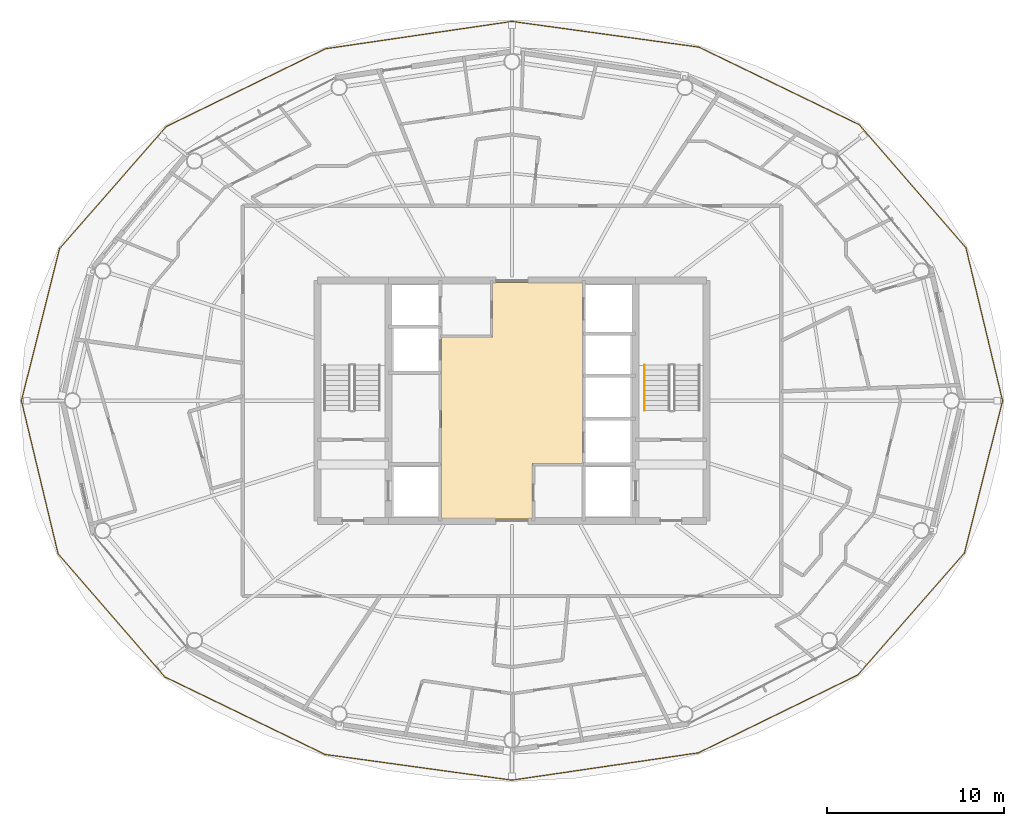
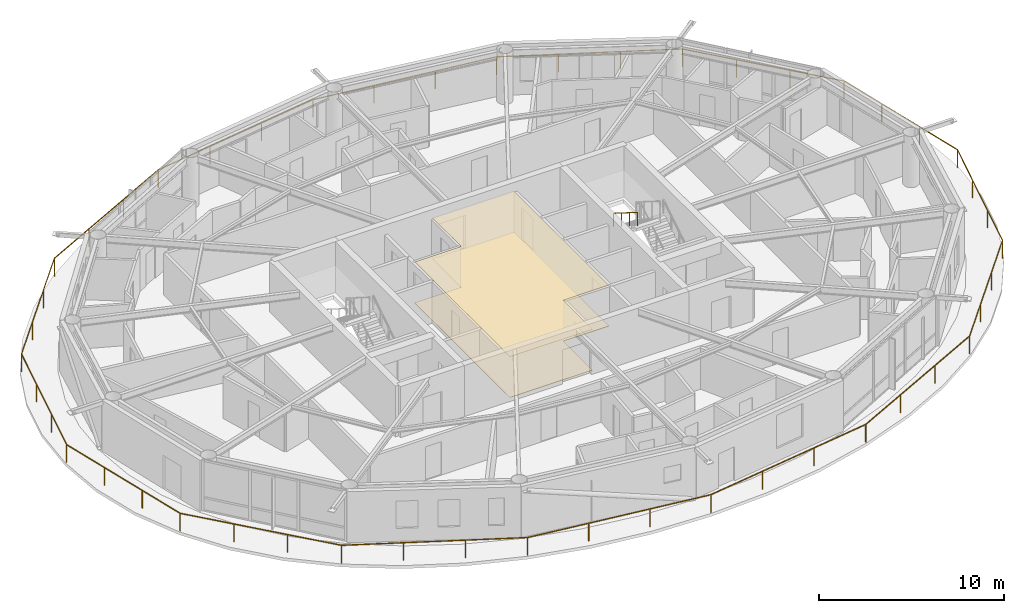
# One storey, part 22 of 23: 2 coverings, 2 railings.
"""IFC4 building model written with IfcOpenShell, lengths in metres."""

from ifc_helpers import new_model, si_unit, direction, frame, origin, origin_2d, place, context, subcontext, project, spatial, polyline, rectangle, outline, extrude, material, layer, layer_set, type_object, element, save


model = new_model("IFC4")

# Units and contexts
model_context = context("Model", 3, precision=1e-05, world=origin(), true_north=direction((0.0, 1.0)))
body_context = subcontext(model_context, "Body", "Model", "MODEL_VIEW")
ifc_project = project(units=[si_unit("LENGTHUNIT", "METRE"), si_unit("AREAUNIT", "SQUARE_METRE"), si_unit("VOLUMEUNIT", "CUBIC_METRE"), si_unit("PLANEANGLEUNIT", "RADIAN"), si_unit("MASSUNIT", "GRAM", prefix="KILO")], contexts=[model_context])

# Site, building, storey
site_placement = place(None, origin())
site = spatial("IfcSite", under=ifc_project, at=site_placement, CompositionType="ELEMENT")
building_placement = place(site_placement, origin())
building = spatial("IfcBuilding", under=site, at=building_placement, Name="Sarneth Arch Tower", CompositionType="ELEMENT")
storey_placement = place(building_placement, frame((0.0, 0.0, 231.60009765625)))
storey = spatial("IfcBuildingStorey", under=building, at=storey_placement, Name="L59", CompositionType="ELEMENT", Elevation=231.60009765625)

# Coverings
ifc_material_1 = material(Name="Perforated acoustic gypsum ceiling board")
ifc_layer_1 = layer(ifc_material_1, 0.02490234375)
ifc_layer_set_1 = layer_set([ifc_layer_1], Name="Perforated acoustic gypsum ceiling board")
covering_type_1 = type_object("IfcCoveringType", Name="COV-CEIL-GYP", PredefinedType="CEILING", material=ifc_layer_set_1)
covering_1_placement = place(storey_placement, frame((0.0, 0.0, 2.68994140625)))
element("IfcCovering", 1, at=covering_1_placement, inside=storey, type_object=covering_type_1, Name="L59 Lift lobby acoustic ceiling", PredefinedType="CEILING", context=body_context, shape_type="SweptSolid", body=[
    extrude(outline(polyline([(49.14990234375, 38.449951171875), (49.14990234375, 35.300048828125), (44.0, 35.300048828125), (44.0, 45.60009765625), (46.89990234375, 45.60009765625), (46.89990234375, 48.699951171875), (52.0, 48.699951171875), (52.0, 38.449951171875), (49.14990234375, 38.449951171875)])), origin(), (0.0, 0.0, 1.0), 0.030029296875),
])
ifc_material_2 = material(Name="Honed granite stone flooring", Category="masonry")
ifc_layer_2 = layer(ifc_material_2, 0.030029296875)
ifc_layer_set_2 = layer_set([ifc_layer_2], Name="Honed granite stone flooring")
covering_type_2 = type_object("IfcCoveringType", Name="COV-FLR-STONE", PredefinedType="FLOORING", material=ifc_layer_set_2)
covering_2_placement = place(storey_placement, origin())
element("IfcCovering", 2, at=covering_2_placement, inside=storey, type_object=covering_type_2, Name="L59 Lift lobby granite flooring", PredefinedType="FLOORING", context=body_context, shape_type="SweptSolid", body=[
    extrude(outline(polyline([(49.14990234375, 38.449951171875), (49.14990234375, 35.300048828125), (44.0, 35.300048828125), (44.0, 45.60009765625), (46.89990234375, 45.60009765625), (46.89990234375, 48.699951171875), (52.0, 48.699951171875), (52.0, 38.449951171875), (49.14990234375, 38.449951171875)])), origin(), (0.0, 0.0, 1.0), 0.02978515625),
])

# Railings
ifc_material_3 = material(Name="Laminated structural glass infill with Stainless Steel 316 top rail and posts", Category="steel")
railing_type_1 = type_object("IfcRailingType", Name="RAIL-BALC-1200", PredefinedType="BALUSTRADE", material=ifc_material_3)
railing_1_placement = place(storey_placement, frame((75.773681640625, 42.0, 0.0)))
element("IfcRailing", 3, at=railing_1_placement, inside=storey, type_object=railing_type_1, Name="L59 Helical balcony glass balustrade", PredefinedType="BALUSTRADE", context=body_context, shape_type="SweptSolid", body=[
    extrude(rectangle(XDim=0.048095703125, YDim=0.048095703125, at=origin_2d()), frame((0.0, 0.0, 1.17578125), z_axis=(-0.233023557234, 0.972471090457, 0.0), x_axis=(-0.972471090457, -0.233023557234, 0.0)), (0.0, 0.0, 1.0), 8.906494140625),
    extrude(rectangle(XDim=0.048095703125, YDim=0.048095703125, at=origin_2d()), frame((-2.075439453125, 8.661376953125, 1.17578125), z_axis=(-0.655023245194, 0.755608726958, 0.0), x_axis=(-0.755608726958, -0.655023245194, 0.0)), (0.0, 0.0, 1.0), 9.223388671875),
    extrude(rectangle(XDim=0.048095703125, YDim=0.048095703125, at=origin_2d()), frame((-8.116943359375, 15.630615234375, 1.17578125), z_axis=(-0.900182220057, 0.435513456387, 0.0), x_axis=(-0.435513456387, -0.900182220057, 0.0)), (0.0, 0.0, 1.0), 10.08203125),
    extrude(rectangle(XDim=0.048095703125, YDim=0.048095703125, at=origin_2d()), frame((-17.192626953125, 20.021484375, 1.17578125), z_axis=(-0.990670355081, 0.136280033618, 0.0), x_axis=(-0.136280033618, -0.990670355081, 0.0)), (0.0, 0.0, 1.0), 10.6806640625),
    extrude(rectangle(XDim=0.048095703125, YDim=0.048095703125, at=origin_2d()), frame((-27.773681640625, 21.47705078125, 1.17578125), z_axis=(-0.989425516886, -0.145041878557, 0.0), x_axis=(0.145041878557, -0.989425516886, 0.0)), (0.0, 0.0, 1.0), 10.6650390625),
    extrude(rectangle(XDim=0.048095703125, YDim=0.048095703125, at=origin_2d()), frame((-38.325927734375, 19.93017578125, 1.17578125), z_axis=(-0.898526713463, -0.43891883668, 0.0), x_axis=(0.43891883668, -0.898526713463, 0.0)), (0.0, 0.0, 1.0), 10.042236328125),
    extrude(rectangle(XDim=0.048095703125, YDim=0.048095703125, at=origin_2d()), frame((-47.34912109375, 15.5224609375, 1.17578125), z_axis=(-0.658199387128, -0.752843653612, 0.0), x_axis=(0.752843653612, -0.658199387128, 0.0)), (0.0, 0.0, 1.0), 9.175537109375),
    extrude(rectangle(XDim=0.048095703125, YDim=0.048095703125, at=origin_2d()), frame((-53.388427734375, 8.61474609375, 1.17578125), z_axis=(-0.243091848319, -0.970003274882, 0.0), x_axis=(0.970003274882, -0.243091848319, 0.0)), (0.0, 0.0, 1.0), 8.881103515625),
    extrude(rectangle(XDim=0.048095703125, YDim=0.048095703125, at=origin_2d()), frame((-55.54736328125, 0.0, 1.17578125), z_axis=(0.233023557234, -0.972471090457, 0.0), x_axis=(0.972471090457, 0.233023557234, 0.0)), (0.0, 0.0, 1.0), 8.906494140625),
    extrude(rectangle(XDim=0.048095703125, YDim=0.048095703125, at=origin_2d()), frame((-53.471923828125, -8.661376953125, 1.17578125), z_axis=(0.655023245194, -0.755608726958, 0.0), x_axis=(0.755608726958, 0.655023245194, 0.0)), (0.0, 0.0, 1.0), 9.223388671875),
    extrude(rectangle(XDim=0.048095703125, YDim=0.048095703125, at=origin_2d()), frame((-47.430419921875, -15.630615234375, 1.17578125), z_axis=(0.900182220057, -0.435513456387, 0.0), x_axis=(0.435513456387, 0.900182220057, 0.0)), (0.0, 0.0, 1.0), 10.08203125),
    extrude(rectangle(XDim=0.048095703125, YDim=0.048095703125, at=origin_2d()), frame((-38.354736328125, -20.021484375, 1.17578125), z_axis=(0.990670355081, -0.136280033618, 0.0), x_axis=(0.136280033618, 0.990670355081, 0.0)), (0.0, 0.0, 1.0), 10.6806640625),
    extrude(rectangle(XDim=0.048095703125, YDim=0.048095703125, at=origin_2d()), frame((-27.773681640625, -21.47705078125, 1.17578125), z_axis=(0.989425516886, 0.145041878557, 0.0), x_axis=(-0.145041878557, 0.989425516886, 0.0)), (0.0, 0.0, 1.0), 10.6650390625),
    extrude(rectangle(XDim=0.048095703125, YDim=0.048095703125, at=origin_2d()), frame((-17.221435546875, -19.93017578125, 1.17578125), z_axis=(0.898526713463, 0.43891883668, 0.0), x_axis=(-0.43891883668, 0.898526713463, 0.0)), (0.0, 0.0, 1.0), 10.042236328125),
    extrude(rectangle(XDim=0.048095703125, YDim=0.048095703125, at=origin_2d()), frame((-8.1982421875, -15.5224609375, 1.17578125), z_axis=(0.658199387128, 0.752843653612, 0.0), x_axis=(-0.752843653612, 0.658199387128, 0.0)), (0.0, 0.0, 1.0), 9.175537109375),
    extrude(rectangle(XDim=0.048095703125, YDim=0.048095703125, at=origin_2d()), frame((-2.158935546875, -8.61474609375, 1.17578125), z_axis=(0.243091848319, 0.970003274882, 0.0), x_axis=(-0.970003274882, 0.243091848319, 0.0)), (0.0, 0.0, 1.0), 8.881103515625),
    extrude(rectangle(XDim=0.0419921875, YDim=0.0419921875, at=origin_2d()), origin(), (0.0, 0.0, 1.0), 1.15185546875),
    extrude(rectangle(XDim=0.0419921875, YDim=0.0419921875, at=origin_2d()), frame((-0.69189453125, 2.88720703125, 0.0)), (0.0, 0.0, 1.0), 1.15185546875),
    extrude(rectangle(XDim=0.0419921875, YDim=0.0419921875, at=origin_2d()), frame((-1.383544921875, 5.774169921875, 0.0)), (0.0, 0.0, 1.0), 1.15185546875),
    extrude(rectangle(XDim=0.0419921875, YDim=0.0419921875, at=origin_2d()), frame((-2.075439453125, 8.661376953125, 0.0)), (0.0, 0.0, 1.0), 1.15185546875),
    extrude(rectangle(XDim=0.0419921875, YDim=0.0419921875, at=origin_2d()), frame((-4.08935546875, 10.984375, 0.0)), (0.0, 0.0, 1.0), 1.15185546875),
    extrude(rectangle(XDim=0.0419921875, YDim=0.0419921875, at=origin_2d()), frame((-6.10302734375, 13.3076171875, 0.0)), (0.0, 0.0, 1.0), 1.15185546875),
    extrude(rectangle(XDim=0.0419921875, YDim=0.0419921875, at=origin_2d()), frame((-8.116943359375, 15.630615234375, 0.0)), (0.0, 0.0, 1.0), 1.15185546875),
    extrude(rectangle(XDim=0.0419921875, YDim=0.0419921875, at=origin_2d()), frame((-11.14208984375, 17.09423828125, 0.0)), (0.0, 0.0, 1.0), 1.15185546875),
    extrude(rectangle(XDim=0.0419921875, YDim=0.0419921875, at=origin_2d()), frame((-14.16748046875, 18.557861328125, 0.0)), (0.0, 0.0, 1.0), 1.15185546875),
    extrude(rectangle(XDim=0.0419921875, YDim=0.0419921875, at=origin_2d()), frame((-17.192626953125, 20.021484375, 0.0)), (0.0, 0.0, 1.0), 1.15185546875),
    extrude(rectangle(XDim=0.0419921875, YDim=0.0419921875, at=origin_2d()), frame((-20.7197265625, 20.506591796875, 0.0)), (0.0, 0.0, 1.0), 1.15185546875),
    extrude(rectangle(XDim=0.0419921875, YDim=0.0419921875, at=origin_2d()), frame((-24.24658203125, 20.991943359375, 0.0)), (0.0, 0.0, 1.0), 1.15185546875),
    extrude(rectangle(XDim=0.0419921875, YDim=0.0419921875, at=origin_2d()), frame((-27.773681640625, 21.47705078125, 0.0)), (0.0, 0.0, 1.0), 1.15185546875),
    extrude(rectangle(XDim=0.0419921875, YDim=0.0419921875, at=origin_2d()), frame((-31.291015625, 20.96142578125, 0.0)), (0.0, 0.0, 1.0), 1.15185546875),
    extrude(rectangle(XDim=0.0419921875, YDim=0.0419921875, at=origin_2d()), frame((-34.80859375, 20.44580078125, 0.0)), (0.0, 0.0, 1.0), 1.15185546875),
    extrude(rectangle(XDim=0.0419921875, YDim=0.0419921875, at=origin_2d()), frame((-38.325927734375, 19.93017578125, 0.0)), (0.0, 0.0, 1.0), 1.15185546875),
    extrude(rectangle(XDim=0.0419921875, YDim=0.0419921875, at=origin_2d()), frame((-41.333740234375, 18.4609375, 0.0)), (0.0, 0.0, 1.0), 1.15185546875),
    extrude(rectangle(XDim=0.0419921875, YDim=0.0419921875, at=origin_2d()), frame((-44.34130859375, 16.99169921875, 0.0)), (0.0, 0.0, 1.0), 1.15185546875),
    extrude(rectangle(XDim=0.0419921875, YDim=0.0419921875, at=origin_2d()), frame((-47.34912109375, 15.5224609375, 0.0)), (0.0, 0.0, 1.0), 1.15185546875),
    extrude(rectangle(XDim=0.0419921875, YDim=0.0419921875, at=origin_2d()), frame((-49.3623046875, 13.219970703125, 0.0)), (0.0, 0.0, 1.0), 1.15185546875),
    extrude(rectangle(XDim=0.0419921875, YDim=0.0419921875, at=origin_2d()), frame((-51.375244140625, 10.917236328125, 0.0)), (0.0, 0.0, 1.0), 1.15185546875),
    extrude(rectangle(XDim=0.0419921875, YDim=0.0419921875, at=origin_2d()), frame((-53.388427734375, 8.61474609375, 0.0)), (0.0, 0.0, 1.0), 1.15185546875),
    extrude(rectangle(XDim=0.0419921875, YDim=0.0419921875, at=origin_2d()), frame((-54.108154296875, 5.7431640625, 0.0)), (0.0, 0.0, 1.0), 1.15185546875),
    extrude(rectangle(XDim=0.0419921875, YDim=0.0419921875, at=origin_2d()), frame((-54.82763671875, 2.87158203125, 0.0)), (0.0, 0.0, 1.0), 1.15185546875),
    extrude(rectangle(XDim=0.0419921875, YDim=0.0419921875, at=origin_2d()), frame((-55.54736328125, 0.0, 0.0)), (0.0, 0.0, 1.0), 1.15185546875),
    extrude(rectangle(XDim=0.0419921875, YDim=0.0419921875, at=origin_2d()), frame((-54.85546875, -2.88720703125, 0.0)), (0.0, 0.0, 1.0), 1.15185546875),
    extrude(rectangle(XDim=0.0419921875, YDim=0.0419921875, at=origin_2d()), frame((-54.163818359375, -5.774169921875, 0.0)), (0.0, 0.0, 1.0), 1.15185546875),
    extrude(rectangle(XDim=0.0419921875, YDim=0.0419921875, at=origin_2d()), frame((-53.471923828125, -8.661376953125, 0.0)), (0.0, 0.0, 1.0), 1.15185546875),
    extrude(rectangle(XDim=0.0419921875, YDim=0.0419921875, at=origin_2d()), frame((-51.4580078125, -10.984375, 0.0)), (0.0, 0.0, 1.0), 1.15185546875),
    extrude(rectangle(XDim=0.0419921875, YDim=0.0419921875, at=origin_2d()), frame((-49.4443359375, -13.3076171875, 0.0)), (0.0, 0.0, 1.0), 1.15185546875),
    extrude(rectangle(XDim=0.0419921875, YDim=0.0419921875, at=origin_2d()), frame((-47.430419921875, -15.630615234375, 0.0)), (0.0, 0.0, 1.0), 1.15185546875),
    extrude(rectangle(XDim=0.0419921875, YDim=0.0419921875, at=origin_2d()), frame((-44.4052734375, -17.09423828125, 0.0)), (0.0, 0.0, 1.0), 1.15185546875),
    extrude(rectangle(XDim=0.0419921875, YDim=0.0419921875, at=origin_2d()), frame((-41.3798828125, -18.557861328125, 0.0)), (0.0, 0.0, 1.0), 1.15185546875),
    extrude(rectangle(XDim=0.0419921875, YDim=0.0419921875, at=origin_2d()), frame((-38.354736328125, -20.021484375, 0.0)), (0.0, 0.0, 1.0), 1.15185546875),
    extrude(rectangle(XDim=0.0419921875, YDim=0.0419921875, at=origin_2d()), frame((-34.82763671875, -20.506591796875, 0.0)), (0.0, 0.0, 1.0), 1.15185546875),
    extrude(rectangle(XDim=0.0419921875, YDim=0.0419921875, at=origin_2d()), frame((-31.30078125, -20.991943359375, 0.0)), (0.0, 0.0, 1.0), 1.15185546875),
    extrude(rectangle(XDim=0.0419921875, YDim=0.0419921875, at=origin_2d()), frame((-27.773681640625, -21.47705078125, 0.0)), (0.0, 0.0, 1.0), 1.15185546875),
    extrude(rectangle(XDim=0.0419921875, YDim=0.0419921875, at=origin_2d()), frame((-24.25634765625, -20.96142578125, 0.0)), (0.0, 0.0, 1.0), 1.15185546875),
    extrude(rectangle(XDim=0.0419921875, YDim=0.0419921875, at=origin_2d()), frame((-20.73876953125, -20.44580078125, 0.0)), (0.0, 0.0, 1.0), 1.15185546875),
    extrude(rectangle(XDim=0.0419921875, YDim=0.0419921875, at=origin_2d()), frame((-17.221435546875, -19.93017578125, 0.0)), (0.0, 0.0, 1.0), 1.15185546875),
    extrude(rectangle(XDim=0.0419921875, YDim=0.0419921875, at=origin_2d()), frame((-14.213623046875, -18.4609375, 0.0)), (0.0, 0.0, 1.0), 1.15185546875),
    extrude(rectangle(XDim=0.0419921875, YDim=0.0419921875, at=origin_2d()), frame((-11.2060546875, -16.99169921875, 0.0)), (0.0, 0.0, 1.0), 1.15185546875),
    extrude(rectangle(XDim=0.0419921875, YDim=0.0419921875, at=origin_2d()), frame((-8.1982421875, -15.5224609375, 0.0)), (0.0, 0.0, 1.0), 1.15185546875),
    extrude(rectangle(XDim=0.0419921875, YDim=0.0419921875, at=origin_2d()), frame((-6.18505859375, -13.219970703125, 0.0)), (0.0, 0.0, 1.0), 1.15185546875),
    extrude(rectangle(XDim=0.0419921875, YDim=0.0419921875, at=origin_2d()), frame((-4.172119140625, -10.917236328125, 0.0)), (0.0, 0.0, 1.0), 1.15185546875),
    extrude(rectangle(XDim=0.0419921875, YDim=0.0419921875, at=origin_2d()), frame((-2.158935546875, -8.61474609375, 0.0)), (0.0, 0.0, 1.0), 1.15185546875),
    extrude(rectangle(XDim=0.0419921875, YDim=0.0419921875, at=origin_2d()), frame((-1.439208984375, -5.7431640625, 0.0)), (0.0, 0.0, 1.0), 1.15185546875),
    extrude(rectangle(XDim=0.0419921875, YDim=0.0419921875, at=origin_2d()), frame((-0.7197265625, -2.87158203125, 0.0)), (0.0, 0.0, 1.0), 1.15185546875),
])
ifc_material_4 = material(Name="Brushed Stainless Steel 304 tubular handrail", Category="steel")
railing_type_2 = type_object("IfcRailingType", Name="RAIL-HANDRAIL-900", PredefinedType="HANDRAIL", material=ifc_material_4)
railing_2_placement = place(storey_placement, frame((55.5, 44.014892578125, 1.97998046875)))
element("IfcRailing", 4, at=railing_2_placement, inside=storey, type_object=railing_type_2, Name="L59 ST-2 stair handrail 2", PredefinedType="HANDRAIL", context=body_context, shape_type="SweptSolid", body=[
    extrude(rectangle(XDim=0.048095703125, YDim=0.048095703125, at=origin_2d()), frame((0.0, 0.0, 0.8759765625), z_axis=(0.0, -0.845502289212, 0.533971796014), x_axis=(1.0, 0.0, 0.0)), (0.0, 0.0, 1.0), 3.03369140625),
    extrude(rectangle(XDim=0.0419921875, YDim=0.0419921875, at=origin_2d()), origin(), (0.0, 0.0, 1.0), 0.851806640625),
    extrude(rectangle(XDim=0.0419921875, YDim=0.0419921875, at=origin_2d()), frame((0.0, -0.85498046875, 0.5400390625)), (0.0, 0.0, 1.0), 0.851806640625),
    extrude(rectangle(XDim=0.0419921875, YDim=0.0419921875, at=origin_2d()), frame((0.0, -1.7099609375, 1.079833984375)), (0.0, 0.0, 1.0), 0.851806640625),
    extrude(rectangle(XDim=0.0419921875, YDim=0.0419921875, at=origin_2d()), frame((0.0, -2.56494140625, 1.619873046875)), (0.0, 0.0, 1.0), 0.851806640625),
])

save(model, "model.ifc")
